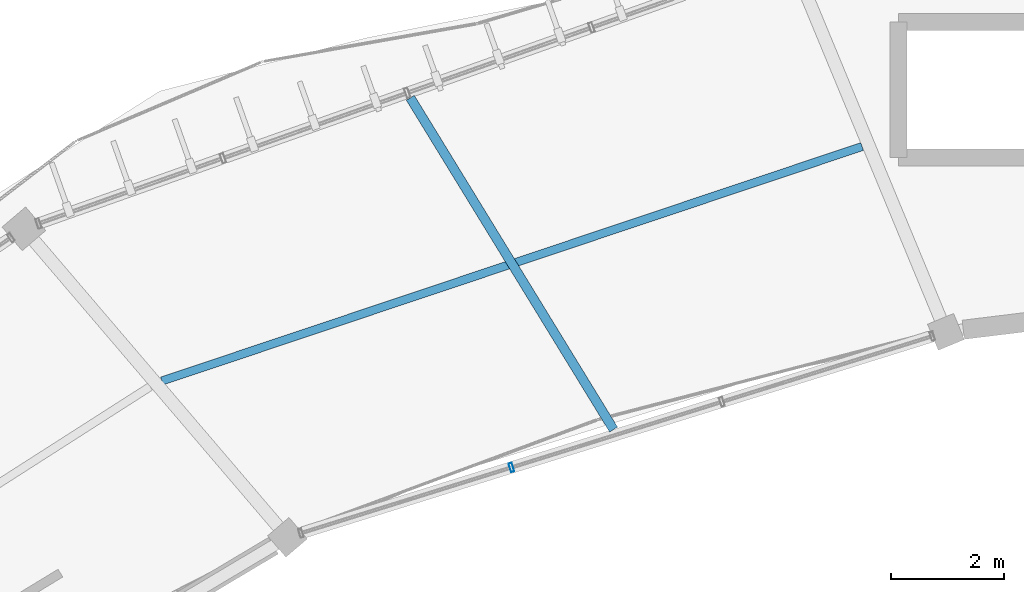
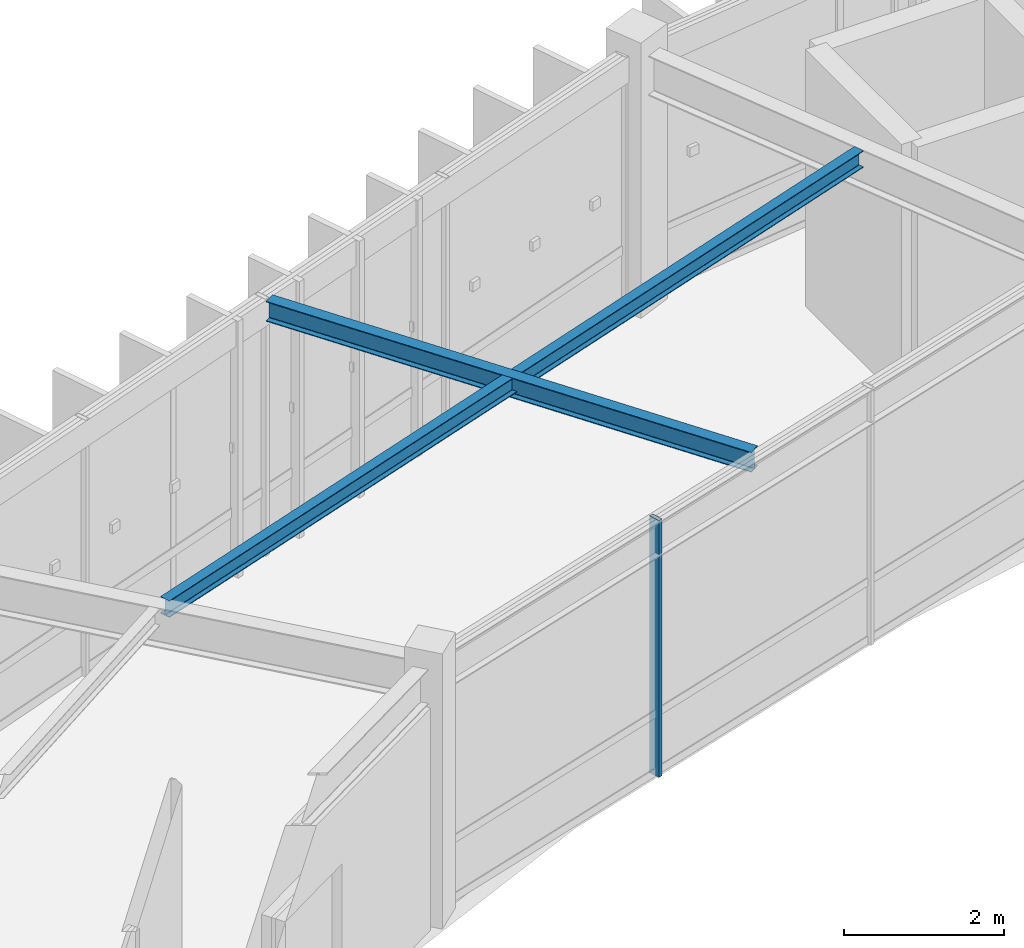
# One storey, part 30 of 79: 2 beams, 1 member, 1 element without a shape of its own.
"""IFC4 building model written with IfcOpenShell, lengths in metres."""

from ifc_helpers import new_model, si_unit, direction, frame, origin, origin_2d, place, context, subcontext, project, spatial, hollow_rectangle, i_section, extrude, material, material_profile, profile_set, type_object, element, aggregate, save


model = new_model("IFC4")

# Units and contexts
model_context = context("Model", 3, precision=1e-05, world=origin(), true_north=direction((0.0, 1.0)))
body_context = subcontext(model_context, "Body", "Model", "MODEL_VIEW")
ifc_project = project(units=[si_unit("LENGTHUNIT", "METRE"), si_unit("AREAUNIT", "SQUARE_METRE"), si_unit("VOLUMEUNIT", "CUBIC_METRE"), si_unit("PLANEANGLEUNIT", "RADIAN"), si_unit("MASSUNIT", "GRAM", prefix="KILO"), si_unit("THERMODYNAMICTEMPERATUREUNIT", "KELVIN"), si_unit("POWERUNIT", "WATT")], contexts=[model_context])

# Site, building, storey
site_placement = place(None, origin())
site = spatial("IfcSite", under=ifc_project, at=site_placement, CompositionType="ELEMENT")
building_placement = place(site_placement, origin())
building = spatial("IfcBuilding", under=site, at=building_placement, Name="Darbajah Civic Hall", CompositionType="ELEMENT")
storey_placement = place(building_placement, frame((0.0, 0.0, 22.199951171875)))
storey = spatial("IfcBuildingStorey", under=building, at=storey_placement, Name="L05", CompositionType="ELEMENT", Elevation=22.199951171875)

# Curtain wall, member
ifc_material_1 = material(Name="Anodised Bronze Aluminium and Low-E Glazing", Category="aluminium")
curtain_wall_type = type_object("IfcCurtainWallType", Name="Unitised Curtain Wall CW-67 11700x3900", PredefinedType="USERDEFINED", material=ifc_material_1)
curtain_wall_placement = place(storey_placement, origin())
curtain_wall = element("IfcCurtainWall", 1, at=curtain_wall_placement, inside=storey, type_object=curtain_wall_type, Name="L05 unitised curtain wall CW-V1I-L05-06", ObjectType="UNITISED CURTAIN WALL", PredefinedType="USERDEFINED")
ifc_material_2 = material(Name="Anodised Bronze Aluminium", Category="aluminium")
ifc_material_profile_1 = material_profile(ifc_material_2, hollow_rectangle(XDim=0.06005859375, YDim=0.159912109375, WallThickness=0.00341796875, at=origin_2d()), Name="ALU MULLION 60x160")
ifc_profile_set_1 = profile_set([ifc_material_profile_1], Name="Anodised Bronze Aluminium")
member_type = type_object("IfcMemberType", Name="ALU MULLION 60x160", PredefinedType="MULLION", material=ifc_profile_set_1)
member_placement = place(storey_placement, frame((64.629150390625, 107.997314453125, 0.0), z_axis=(0.0, 0.0, 1.0), x_axis=(-0.954604963513, -0.297874744877, 0.0)))
member = element("IfcMember", 2, at=member_placement, type_object=member_type, Name="CW-V1I-L05-06 mullion 3", PredefinedType="MULLION", context=body_context, shape_type="SweptSolid", body=[
    extrude(hollow_rectangle(XDim=0.06005859375, YDim=0.159912109375, WallThickness=0.00341796875, at=origin_2d()), origin(), (0.0, 0.0, 1.0), 3.920166015625),
])
aggregate(curtain_wall, [member])

# Beams
ifc_material_3 = material(Name="Steel S355JR", Category="steel")
ifc_material_profile_2 = material_profile(ifc_material_3, i_section(OverallWidth=0.146484375, OverallDepth=0.256103515625, WebThickness=0.00634765625, FlangeThickness=0.010986328125, FilletRadius=0.007568359375, at=origin_2d()), Name="UB 254x146x37")
ifc_profile_set_2 = profile_set([ifc_material_profile_2], Name="Steel S355JR")
beam_type_1 = type_object("IfcBeamType", Name="UB 254x146x37", PredefinedType="JOIST", material=ifc_profile_set_2)
beam_1_placement = place(storey_placement, frame((70.850830078125, 113.691650390625, 3.7919921875), z_axis=(-0.948257615403, -0.317501960357, 0.0), x_axis=(0.317501960357, -0.948257615403, 0.0)))
element("IfcBeam", 3, at=beam_1_placement, inside=storey, type_object=beam_type_1, Name="L05 beam SJ-254", PredefinedType="JOIST", context=body_context, shape_type="SweptSolid", body=[
    extrude(i_section(OverallWidth=0.146484375, OverallDepth=0.256103515625, WebThickness=0.00634765625, FlangeThickness=0.010986328125, FilletRadius=0.007568359375, at=origin_2d()), origin(), (0.0, 0.0, 1.0), 13.102783203125),
])
ifc_material_profile_3 = material_profile(ifc_material_3, i_section(OverallWidth=0.165771484375, OverallDepth=0.306640625, WebThickness=0.006591796875, FlangeThickness=0.01171875, FilletRadius=0.0087890625, at=origin_2d()), Name="UB 305x165x46")
ifc_profile_set_3 = profile_set([ifc_material_profile_3], Name="Steel S355JR")
beam_type_2 = type_object("IfcBeamType", Name="UB 305x165x46", PredefinedType="JOIST", material=ifc_profile_set_3)
beam_2_placement = place(storey_placement, frame((66.44091796875, 108.670166015625, 3.766845703125), z_axis=(-0.522498199588, 0.852640388105, 0.0), x_axis=(-0.852640388105, -0.522498199588, 0.0)))
element("IfcBeam", 4, at=beam_2_placement, inside=storey, type_object=beam_type_2, Name="L05 beam SJ-305", PredefinedType="JOIST", context=body_context, shape_type="SweptSolid", body=[
    extrude(i_section(OverallWidth=0.165771484375, OverallDepth=0.306640625, WebThickness=0.006591796875, FlangeThickness=0.01171875, FilletRadius=0.0087890625, at=origin_2d()), origin(), (0.0, 0.0, 1.0), 6.9033203125),
])

save(model, "model.ifc")
